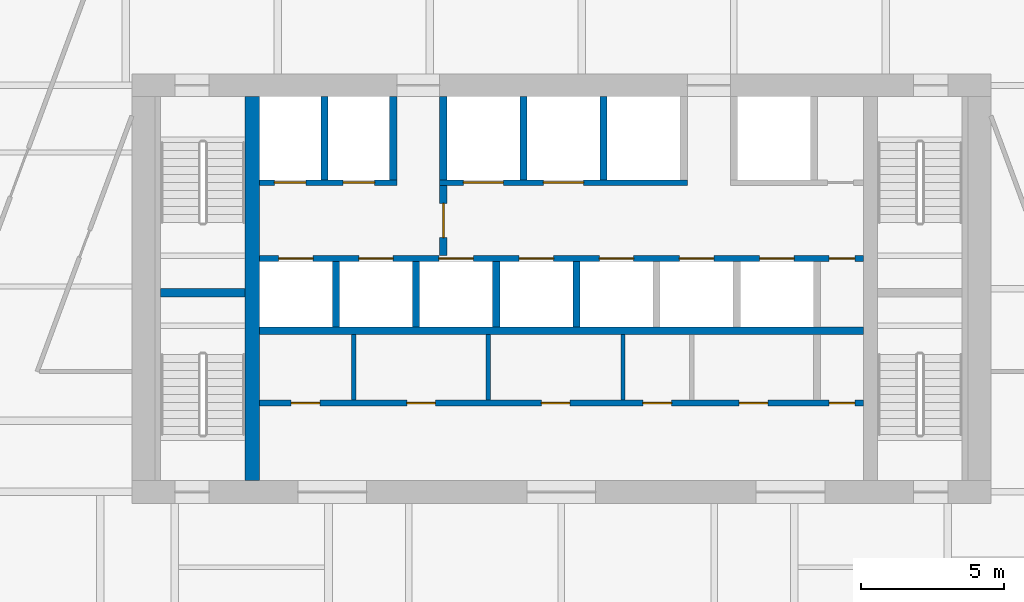
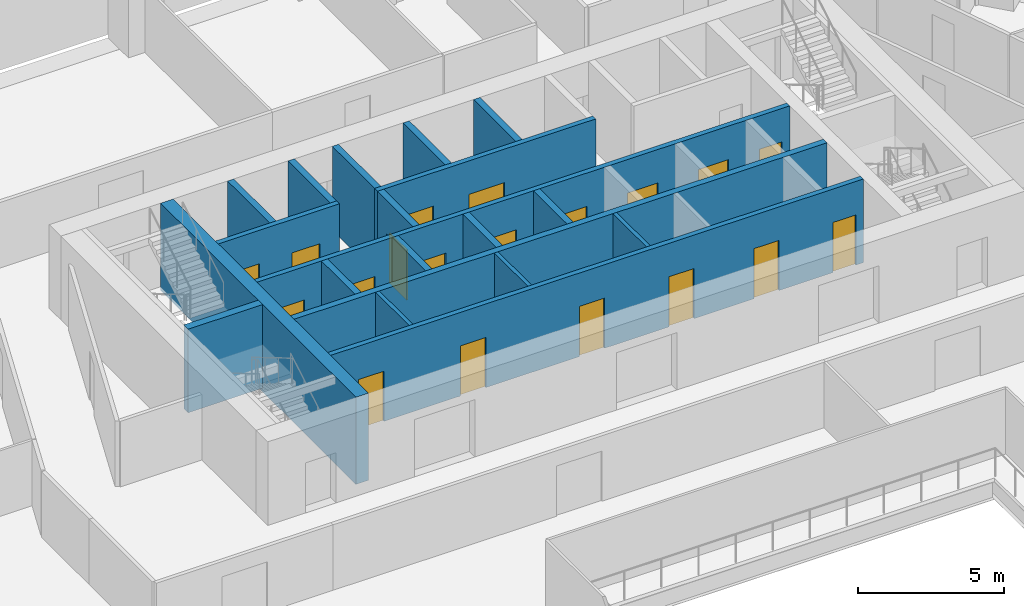
# One storey, part 18 of 24: 20 walls, 19 doors, 19 openings.
"""IFC4 building model written with IfcOpenShell, lengths in metres."""

from ifc_helpers import new_model, si_unit, direction, frame, frame_2d, origin, place, context, subcontext, project, spatial, rectangle, extrude, material, layer, layer_set, type_object, element, fill, save


model = new_model("IFC4")

# Units and contexts
model_context = context("Model", 3, precision=1e-05, world=origin(), true_north=direction((0.0, 1.0)))
body_context = subcontext(model_context, "Body", "Model", "MODEL_VIEW")
ifc_project = project(units=[si_unit("LENGTHUNIT", "METRE"), si_unit("AREAUNIT", "SQUARE_METRE"), si_unit("VOLUMEUNIT", "CUBIC_METRE"), si_unit("PLANEANGLEUNIT", "RADIAN"), si_unit("MASSUNIT", "GRAM", prefix="KILO")], contexts=[model_context])

# Site, building, storey
site_placement = place(None, origin())
site = spatial("IfcSite", under=ifc_project, at=site_placement, CompositionType="ELEMENT")
building_placement = place(site_placement, origin())
building = spatial("IfcBuilding", under=site, at=building_placement, Name="Isthmus Gate Tower", CompositionType="ELEMENT")
storey_placement = place(building_placement, frame((0.0, 0.0, 159.0)))
storey = spatial("IfcBuildingStorey", under=building, at=storey_placement, Name="L39", CompositionType="ELEMENT", Elevation=159.0)

# Wall, opening, door
ifc_material_1 = material(Name="Fire-rated blockwork masonry, 15 MPa", Category="masonry")
ifc_layer_1 = layer(ifc_material_1, 0.25)
ifc_layer_set_1 = layer_set([ifc_layer_1], Name="FIRE-FIGHTING LOBBY WALL 250 90 MIN")
wall_type_1 = type_object("IfcWallType", Name="FIRE-FIGHTING LOBBY WALL 250 90 MIN", PredefinedType="PARTITIONING", material=ifc_layer_set_1)
wall_1_placement = place(storey_placement, frame((-4.125, 8.64990234375, 0.0), z_axis=(0.0, 0.0, 1.0), x_axis=(0.0, 1.0, 0.0)))
wall_1 = element("IfcWall", 1, at=wall_1_placement, inside=storey, type_object=wall_type_1, Name="L39 FIRE-FIGHTING LOBBY WALL 250 90 MIN", PredefinedType="PARTITIONING", context=body_context, shape_type="SweptSolid", body=[
    extrude(rectangle(XDim=2.4501953125, YDim=0.25, at=frame_2d((1.22509765625, 0.0))), origin(), (0.0, 0.0, 1.0), 3.5),
])
opening_1_placement = place(wall_1_placement, frame((0.625, 0.0, 0.0)))
opening_1 = element("IfcOpeningElement", 2, at=opening_1_placement, cuts=wall_1, Name="Opening DC-A10-01", PredefinedType="OPENING", context=body_context, shape_type="SweptSolid", body=[
    extrude(rectangle(XDim=1.199951171875, YDim=2.10009765625, at=frame_2d((0.60009765625, 1.050048828125))), frame((0.0, 0.135009765625, 0.0), z_axis=(0.0, -1.0, 0.0), x_axis=(1.0, 0.0, 0.0)), (0.0, 0.0, 1.0), 0.27001953125),
])
ifc_material_2 = material(Name="Steel door leaf, fire-rated", Category="steel")
door_type_1 = type_object("IfcDoorType", Name="LOBBY FIRE DOOR 1200 X 2100 90 MIN", OperationType="DOUBLE_DOOR_SINGLE_SWING", PredefinedType="DOOR", material=ifc_material_2)
door_1_placement = place(opening_1_placement, origin())
door_1 = element("IfcDoor", 3, at=door_1_placement, inside=storey, type_object=door_type_1, Name="Fire-fighting Lobby Door", OperationType="SINGLE_SWING_LEFT", OverallHeight=2.10009765625, OverallWidth=1.199951171875, PredefinedType="DOOR", context=body_context, shape_type="SweptSolid", body=[
    extrude(rectangle(XDim=1.199951171875, YDim=2.10009765625, at=frame_2d((0.60009765625, 1.050048828125))), frame((0.0, 0.02490234375, 0.0), z_axis=(0.0, -1.0, 0.0), x_axis=(1.0, 0.0, 0.0)), (0.0, 0.0, 1.0), 0.050048828125),
])
fill(opening_1, door_1)

# Walls
ifc_material_3 = material(Name="Concrete f'c 60 MPa", Category="concrete")
ifc_layer_2 = layer(ifc_material_3, 0.5)
ifc_layer_set_2 = layer_set([ifc_layer_2], Name="RC CORE SPINE WALL 500 F'C 60")
wall_type_2 = type_object("IfcWallType", Name="RC CORE SPINE WALL 500 F'C 60", PredefinedType="SOLIDWALL", material=ifc_layer_set_2)
wall_2_placement = place(storey_placement, frame((-10.800048828125, 0.800048828125, -0.14990234375), z_axis=(0.0, 0.0, 1.0), x_axis=(0.0, 1.0, 0.0)))
element("IfcWall", 4, at=wall_2_placement, inside=storey, type_object=wall_type_2, Name="str-corewall-L39-SPW", PredefinedType="SOLIDWALL", context=body_context, shape_type="SweptSolid", body=[
    extrude(rectangle(XDim=13.39990234375, YDim=0.5, at=frame_2d((6.699951171875, 0.0))), origin(), (0.0, 0.0, 1.0), 3.64990234375),
])
ifc_material_4 = material(Name="Gypsum board on steel studs, fire-rated", Category="steel")
ifc_layer_3 = layer(ifc_material_4, 0.14990234375)
ifc_layer_set_3 = layer_set([ifc_layer_3], Name="ROOM PARTITION 150 60 MIN")
wall_type_3 = type_object("IfcWallType", Name="ROOM PARTITION 150 60 MIN", PredefinedType="PARTITIONING", material=ifc_layer_set_3)
for number, where, z_axis, x_axis, name in (
    (5, (-7.25, 3.60009765625, 0.0), (0.0, 0.0, 1.0), (0.0, 1.0, 0.0), "L39 ROOM PARTITION 150 60 MIN"),
    (6, (-2.550048828125, 3.60009765625, 0.0), (0.0, 0.0, 1.0), (0.0, 1.0, 0.0), "L39 ROOM PARTITION 150 60 MIN"),
    (7, (2.14990234375, 3.60009765625, 0.0), (0.0, 0.0, 1.0), (0.0, 1.0, 0.0), "L39 ROOM PARTITION 150 60 MIN"),
):
    element("IfcWall", number, at=place(storey_placement, frame(where, z_axis=z_axis, x_axis=x_axis)), inside=storey, type_object=wall_type_3, Name=name, PredefinedType="PARTITIONING", context=body_context, shape_type="SweptSolid", body=[
        extrude(rectangle(XDim=2.2998046875, YDim=0.14990234375, at=frame_2d((1.14990234375, 0.0))), origin(), (0.0, 0.0, 1.0), 3.5),
    ])

# Wall, openings, doors
ifc_material_5 = material(Name="Fire-rated blockwork masonry, 15 MPa", Category="masonry")
ifc_layer_4 = layer(ifc_material_5, 0.199951171875)
ifc_layer_set_4 = layer_set([ifc_layer_4], Name="SHAFT FRONT WALL 200 120 MIN")
wall_type_4 = type_object("IfcWallType", Name="SHAFT FRONT WALL 200 120 MIN", PredefinedType="PARTITIONING", material=ifc_layer_set_4)
wall_3_placement = place(storey_placement, frame((-10.550048828125, 3.5, 0.0), z_axis=(0.0, 0.0, 1.0), x_axis=(1.0, 0.0, 0.0)))
wall_3 = element("IfcWall", 8, at=wall_3_placement, inside=storey, type_object=wall_type_4, Name="L39 SHAFT FRONT WALL 200 120 MIN", PredefinedType="PARTITIONING", context=body_context, shape_type="SweptSolid", body=[
    extrude(rectangle(XDim=21.10009765625, YDim=0.199951171875, at=frame_2d((10.550048828125, 0.0))), origin(), (0.0, 0.0, 1.0), 3.5),
])
opening_2_placement = place(wall_3_placement, frame((1.112548828125, 0.0, 0.0)))
opening_2 = element("IfcOpeningElement", 9, at=opening_2_placement, cuts=wall_3, Name="Opening DC-A10-02", PredefinedType="OPENING", context=body_context, shape_type="SweptSolid", body=[
    extrude(rectangle(XDim=1.0, YDim=2.10009765625, at=frame_2d((0.5, 1.050048828125))), frame((0.0, 0.10986328125, 0.0), z_axis=(0.0, -1.0, 0.0), x_axis=(1.0, 0.0, 0.0)), (0.0, 0.0, 1.0), 0.219970703125),
])
opening_3_placement = place(wall_3_placement, frame((5.14990234375, 0.0, 0.0)))
opening_3 = element("IfcOpeningElement", 10, at=opening_3_placement, cuts=wall_3, Name="Opening DC-A10-03", PredefinedType="OPENING", context=body_context, shape_type="SweptSolid", body=[
    extrude(rectangle(XDim=1.0, YDim=2.10009765625, at=frame_2d((0.5, 1.050048828125))), frame((0.0, 0.10986328125, 0.0), z_axis=(0.0, -1.0, 0.0), x_axis=(1.0, 0.0, 0.0)), (0.0, 0.0, 1.0), 0.219970703125),
])
opening_4_placement = place(wall_3_placement, frame((9.85009765625, 0.0, 0.0)))
opening_4 = element("IfcOpeningElement", 11, at=opening_4_placement, cuts=wall_3, Name="Opening DC-A10-04", PredefinedType="OPENING", context=body_context, shape_type="SweptSolid", body=[
    extrude(rectangle(XDim=1.0, YDim=2.10009765625, at=frame_2d((0.5, 1.050048828125))), frame((0.0, 0.10986328125, 0.0), z_axis=(0.0, -1.0, 0.0), x_axis=(1.0, 0.0, 0.0)), (0.0, 0.0, 1.0), 0.219970703125),
])
opening_5_placement = place(wall_3_placement, frame((13.39990234375, 0.0, 0.0)))
opening_5 = element("IfcOpeningElement", 12, at=opening_5_placement, cuts=wall_3, Name="Opening DC-A10-05", PredefinedType="OPENING", context=body_context, shape_type="SweptSolid", body=[
    extrude(rectangle(XDim=1.0, YDim=2.10009765625, at=frame_2d((0.5, 1.050048828125))), frame((0.0, 0.10986328125, 0.0), z_axis=(0.0, -1.0, 0.0), x_axis=(1.0, 0.0, 0.0)), (0.0, 0.0, 1.0), 0.219970703125),
])
opening_6_placement = place(wall_3_placement, frame((16.762451171875, 0.0, 0.0)))
opening_6 = element("IfcOpeningElement", 13, at=opening_6_placement, cuts=wall_3, Name="Opening DC-A10-06", PredefinedType="OPENING", context=body_context, shape_type="SweptSolid", body=[
    extrude(rectangle(XDim=1.0, YDim=2.10009765625, at=frame_2d((0.5, 1.050048828125))), frame((0.0, 0.10986328125, 0.0), z_axis=(0.0, -1.0, 0.0), x_axis=(1.0, 0.0, 0.0)), (0.0, 0.0, 1.0), 0.219970703125),
])
opening_7_placement = place(wall_3_placement, frame((19.89990234375, 0.0, 0.0)))
opening_7 = element("IfcOpeningElement", 14, at=opening_7_placement, cuts=wall_3, Name="Opening DC-A10-07", PredefinedType="OPENING", context=body_context, shape_type="SweptSolid", body=[
    extrude(rectangle(XDim=0.89990234375, YDim=2.10009765625, at=frame_2d((0.449951171875, 1.050048828125))), frame((0.0, 0.10986328125, 0.0), z_axis=(0.0, -1.0, 0.0), x_axis=(1.0, 0.0, 0.0)), (0.0, 0.0, 1.0), 0.219970703125),
])
ifc_material_6 = material(Name="Steel door leaf, fire-rated", Category="steel")
door_type_2 = type_object("IfcDoorType", Name="FIRE DOOR 1000 X 2100 60 MIN", OperationType="SINGLE_SWING_LEFT", PredefinedType="DOOR", material=ifc_material_6)
door_2_placement = place(opening_2_placement, origin())
door_2 = element("IfcDoor", 15, at=door_2_placement, inside=storey, type_object=door_type_2, Name="Janitor Store Door", OperationType="SINGLE_SWING_LEFT", OverallHeight=2.10009765625, OverallWidth=1.0, PredefinedType="DOOR", context=body_context, shape_type="SweptSolid", body=[
    extrude(rectangle(XDim=1.0, YDim=2.10009765625, at=frame_2d((0.5, 1.050048828125))), frame((0.0, 0.02490234375, 0.0), z_axis=(0.0, -1.0, 0.0), x_axis=(1.0, 0.0, 0.0)), (0.0, 0.0, 1.0), 0.050048828125),
])
fill(opening_2, door_2)
door_3_placement = place(opening_3_placement, origin())
door_3 = element("IfcDoor", 16, at=door_3_placement, inside=storey, type_object=door_type_2, Name="WC Women Door", OperationType="SINGLE_SWING_RIGHT", OverallHeight=2.10009765625, OverallWidth=1.0, PredefinedType="DOOR", context=body_context, shape_type="SweptSolid", body=[
    extrude(rectangle(XDim=1.0, YDim=2.10009765625, at=frame_2d((0.5, 1.050048828125))), frame((0.0, 0.02490234375, 0.0), z_axis=(0.0, -1.0, 0.0), x_axis=(1.0, 0.0, 0.0)), (0.0, 0.0, 1.0), 0.050048828125),
])
fill(opening_3, door_3)
door_4_placement = place(opening_4_placement, origin())
door_4 = element("IfcDoor", 17, at=door_4_placement, inside=storey, type_object=door_type_2, Name="WC Men Door", OperationType="SINGLE_SWING_LEFT", OverallHeight=2.10009765625, OverallWidth=1.0, PredefinedType="DOOR", context=body_context, shape_type="SweptSolid", body=[
    extrude(rectangle(XDim=1.0, YDim=2.10009765625, at=frame_2d((0.5, 1.050048828125))), frame((0.0, 0.02490234375, 0.0), z_axis=(0.0, -1.0, 0.0), x_axis=(1.0, 0.0, 0.0)), (0.0, 0.0, 1.0), 0.050048828125),
])
fill(opening_4, door_4)
door_5_placement = place(opening_5_placement, origin())
door_5 = element("IfcDoor", 18, at=door_5_placement, inside=storey, type_object=door_type_2, Name="Accessible WC Door", OperationType="SINGLE_SWING_RIGHT", OverallHeight=2.10009765625, OverallWidth=1.0, PredefinedType="DOOR", context=body_context, shape_type="SweptSolid", body=[
    extrude(rectangle(XDim=1.0, YDim=2.10009765625, at=frame_2d((0.5, 1.050048828125))), frame((0.0, 0.02490234375, 0.0), z_axis=(0.0, -1.0, 0.0), x_axis=(1.0, 0.0, 0.0)), (0.0, 0.0, 1.0), 0.050048828125),
])
fill(opening_5, door_5)
door_6_placement = place(opening_6_placement, origin())
door_6 = element("IfcDoor", 19, at=door_6_placement, inside=storey, type_object=door_type_2, Name="Print Room Door", OperationType="SINGLE_SWING_LEFT", OverallHeight=2.10009765625, OverallWidth=1.0, PredefinedType="DOOR", context=body_context, shape_type="SweptSolid", body=[
    extrude(rectangle(XDim=1.0, YDim=2.10009765625, at=frame_2d((0.5, 1.050048828125))), frame((0.0, 0.02490234375, 0.0), z_axis=(0.0, -1.0, 0.0), x_axis=(1.0, 0.0, 0.0)), (0.0, 0.0, 1.0), 0.050048828125),
])
fill(opening_6, door_6)
ifc_material_7 = material(Name="Steel door leaf, fire-rated", Category="steel")
door_type_3 = type_object("IfcDoorType", Name="RISER FIRE DOOR 900 X 2100 90 MIN", OperationType="SINGLE_SWING_LEFT", PredefinedType="DOOR", material=ifc_material_7)
door_7_placement = place(opening_7_placement, origin())
door_7 = element("IfcDoor", 20, at=door_7_placement, inside=storey, type_object=door_type_3, Name="Riser Door", OperationType="SINGLE_SWING_RIGHT", OverallHeight=2.10009765625, OverallWidth=0.89990234375, PredefinedType="DOOR", context=body_context, shape_type="SweptSolid", body=[
    extrude(rectangle(XDim=0.89990234375, YDim=2.10009765625, at=frame_2d((0.449951171875, 1.050048828125))), frame((0.0, 0.02490234375, 0.0), z_axis=(0.0, -1.0, 0.0), x_axis=(1.0, 0.0, 0.0)), (0.0, 0.0, 1.0), 0.050048828125),
])
fill(opening_7, door_7)

wall_4_placement = place(storey_placement, frame((-10.550048828125, 8.550048828125, 0.0), z_axis=(0.0, 0.0, 1.0), x_axis=(1.0, 0.0, 0.0)))
wall_4 = element("IfcWall", 21, at=wall_4_placement, inside=storey, type_object=wall_type_4, Name="L39 SHAFT FRONT WALL 200 120 MIN", PredefinedType="PARTITIONING", context=body_context, shape_type="SweptSolid", body=[
    extrude(rectangle(XDim=21.10009765625, YDim=0.199951171875, at=frame_2d((10.550048828125, 0.0))), origin(), (0.0, 0.0, 1.0), 3.5),
])
opening_8_placement = place(wall_4_placement, frame((0.675048828125, 0.0, 0.0)))
opening_8 = element("IfcOpeningElement", 22, at=opening_8_placement, cuts=wall_4, Name="Opening LD-LB1", PredefinedType="OPENING", context=body_context, shape_type="SweptSolid", body=[
    extrude(rectangle(XDim=1.199951171875, YDim=2.10009765625, at=frame_2d((0.60009765625, 1.050048828125))), frame((0.0, 0.10986328125, 0.0), z_axis=(0.0, -1.0, 0.0), x_axis=(1.0, 0.0, 0.0)), (0.0, 0.0, 1.0), 0.219970703125),
])
opening_9_placement = place(wall_4_placement, frame((3.47509765625, 0.0, 0.0)))
opening_9 = element("IfcOpeningElement", 23, at=opening_9_placement, cuts=wall_4, Name="Opening LD-LB2", PredefinedType="OPENING", context=body_context, shape_type="SweptSolid", body=[
    extrude(rectangle(XDim=1.199951171875, YDim=2.10009765625, at=frame_2d((0.60009765625, 1.050048828125))), frame((0.0, 0.10986328125, 0.0), z_axis=(0.0, -1.0, 0.0), x_axis=(1.0, 0.0, 0.0)), (0.0, 0.0, 1.0), 0.219970703125),
])
opening_10_placement = place(wall_4_placement, frame((6.27490234375, 0.0, 0.0)))
opening_10 = element("IfcOpeningElement", 24, at=opening_10_placement, cuts=wall_4, Name="Opening LD-LB3", PredefinedType="OPENING", context=body_context, shape_type="SweptSolid", body=[
    extrude(rectangle(XDim=1.199951171875, YDim=2.10009765625, at=frame_2d((0.60009765625, 1.050048828125))), frame((0.0, 0.10986328125, 0.0), z_axis=(0.0, -1.0, 0.0), x_axis=(1.0, 0.0, 0.0)), (0.0, 0.0, 1.0), 0.219970703125),
])
opening_11_placement = place(wall_4_placement, frame((9.074951171875, 0.0, 0.0)))
opening_11 = element("IfcOpeningElement", 25, at=opening_11_placement, cuts=wall_4, Name="Opening LD-LB4", PredefinedType="OPENING", context=body_context, shape_type="SweptSolid", body=[
    extrude(rectangle(XDim=1.199951171875, YDim=2.10009765625, at=frame_2d((0.60009765625, 1.050048828125))), frame((0.0, 0.10986328125, 0.0), z_axis=(0.0, -1.0, 0.0), x_axis=(1.0, 0.0, 0.0)), (0.0, 0.0, 1.0), 0.219970703125),
])
opening_12_placement = place(wall_4_placement, frame((11.875, 0.0, 0.0)))
opening_12 = element("IfcOpeningElement", 26, at=opening_12_placement, cuts=wall_4, Name="Opening LD-LB5", PredefinedType="OPENING", context=body_context, shape_type="SweptSolid", body=[
    extrude(rectangle(XDim=1.199951171875, YDim=2.10009765625, at=frame_2d((0.60009765625, 1.050048828125))), frame((0.0, 0.10986328125, 0.0), z_axis=(0.0, -1.0, 0.0), x_axis=(1.0, 0.0, 0.0)), (0.0, 0.0, 1.0), 0.219970703125),
])
opening_13_placement = place(wall_4_placement, frame((14.675048828125, 0.0, 0.0)))
opening_13 = element("IfcOpeningElement", 27, at=opening_13_placement, cuts=wall_4, Name="Opening LD-LB6", PredefinedType="OPENING", context=body_context, shape_type="SweptSolid", body=[
    extrude(rectangle(XDim=1.199951171875, YDim=2.10009765625, at=frame_2d((0.60009765625, 1.050048828125))), frame((0.0, 0.10986328125, 0.0), z_axis=(0.0, -1.0, 0.0), x_axis=(1.0, 0.0, 0.0)), (0.0, 0.0, 1.0), 0.219970703125),
])
opening_14_placement = place(wall_4_placement, frame((17.47509765625, 0.0, 0.0)))
opening_14 = element("IfcOpeningElement", 28, at=opening_14_placement, cuts=wall_4, Name="Opening LD-LB7", PredefinedType="OPENING", context=body_context, shape_type="SweptSolid", body=[
    extrude(rectangle(XDim=1.199951171875, YDim=2.10009765625, at=frame_2d((0.60009765625, 1.050048828125))), frame((0.0, 0.10986328125, 0.0), z_axis=(0.0, -1.0, 0.0), x_axis=(1.0, 0.0, 0.0)), (0.0, 0.0, 1.0), 0.219970703125),
])
opening_15_placement = place(wall_4_placement, frame((19.89990234375, 0.0, 0.0)))
opening_15 = element("IfcOpeningElement", 29, at=opening_15_placement, cuts=wall_4, Name="Opening DC-A10-08", PredefinedType="OPENING", context=body_context, shape_type="SweptSolid", body=[
    extrude(rectangle(XDim=0.89990234375, YDim=2.10009765625, at=frame_2d((0.449951171875, 1.050048828125))), frame((0.0, 0.10986328125, 0.0), z_axis=(0.0, -1.0, 0.0), x_axis=(1.0, 0.0, 0.0)), (0.0, 0.0, 1.0), 0.219970703125),
])
ifc_material_8 = material(Name="Stainless steel sliding leaf", Category="steel")
door_type_4 = type_object("IfcDoorType", Name="LIFT LANDING FIRE DOOR 1200 X 2100 90 MIN", OperationType="DOUBLE_DOOR_SLIDING", PredefinedType="DOOR", material=ifc_material_8)
door_8_placement = place(opening_8_placement, origin())
door_8 = element("IfcDoor", 30, at=door_8_placement, inside=storey, type_object=door_type_4, Name="Lift Landing Door LB1", OperationType="DOUBLE_DOOR_SLIDING", OverallHeight=2.10009765625, OverallWidth=1.199951171875, PredefinedType="DOOR", context=body_context, shape_type="SweptSolid", body=[
    extrude(rectangle(XDim=1.199951171875, YDim=2.10009765625, at=frame_2d((0.60009765625, 1.050048828125))), frame((0.0, 0.02490234375, 0.0), z_axis=(0.0, -1.0, 0.0), x_axis=(1.0, 0.0, 0.0)), (0.0, 0.0, 1.0), 0.050048828125),
])
fill(opening_8, door_8)
door_9_placement = place(opening_9_placement, origin())
door_9 = element("IfcDoor", 31, at=door_9_placement, inside=storey, type_object=door_type_4, Name="Lift Landing Door LB2", OperationType="DOUBLE_DOOR_SLIDING", OverallHeight=2.10009765625, OverallWidth=1.199951171875, PredefinedType="DOOR", context=body_context, shape_type="SweptSolid", body=[
    extrude(rectangle(XDim=1.199951171875, YDim=2.10009765625, at=frame_2d((0.60009765625, 1.050048828125))), frame((0.0, 0.02490234375, 0.0), z_axis=(0.0, -1.0, 0.0), x_axis=(1.0, 0.0, 0.0)), (0.0, 0.0, 1.0), 0.050048828125),
])
fill(opening_9, door_9)
door_10_placement = place(opening_10_placement, origin())
door_10 = element("IfcDoor", 32, at=door_10_placement, inside=storey, type_object=door_type_4, Name="Lift Landing Door LB3", OperationType="DOUBLE_DOOR_SLIDING", OverallHeight=2.10009765625, OverallWidth=1.199951171875, PredefinedType="DOOR", context=body_context, shape_type="SweptSolid", body=[
    extrude(rectangle(XDim=1.199951171875, YDim=2.10009765625, at=frame_2d((0.60009765625, 1.050048828125))), frame((0.0, 0.02490234375, 0.0), z_axis=(0.0, -1.0, 0.0), x_axis=(1.0, 0.0, 0.0)), (0.0, 0.0, 1.0), 0.050048828125),
])
fill(opening_10, door_10)
door_11_placement = place(opening_11_placement, origin())
door_11 = element("IfcDoor", 33, at=door_11_placement, inside=storey, type_object=door_type_4, Name="Lift Landing Door LB4", OperationType="DOUBLE_DOOR_SLIDING", OverallHeight=2.10009765625, OverallWidth=1.199951171875, PredefinedType="DOOR", context=body_context, shape_type="SweptSolid", body=[
    extrude(rectangle(XDim=1.199951171875, YDim=2.10009765625, at=frame_2d((0.60009765625, 1.050048828125))), frame((0.0, 0.02490234375, 0.0), z_axis=(0.0, -1.0, 0.0), x_axis=(1.0, 0.0, 0.0)), (0.0, 0.0, 1.0), 0.050048828125),
])
fill(opening_11, door_11)
door_12_placement = place(opening_12_placement, origin())
door_12 = element("IfcDoor", 34, at=door_12_placement, inside=storey, type_object=door_type_4, Name="Lift Landing Door LB5", OperationType="DOUBLE_DOOR_SLIDING", OverallHeight=2.10009765625, OverallWidth=1.199951171875, PredefinedType="DOOR", context=body_context, shape_type="SweptSolid", body=[
    extrude(rectangle(XDim=1.199951171875, YDim=2.10009765625, at=frame_2d((0.60009765625, 1.050048828125))), frame((0.0, 0.02490234375, 0.0), z_axis=(0.0, -1.0, 0.0), x_axis=(1.0, 0.0, 0.0)), (0.0, 0.0, 1.0), 0.050048828125),
])
fill(opening_12, door_12)
door_13_placement = place(opening_13_placement, origin())
door_13 = element("IfcDoor", 35, at=door_13_placement, inside=storey, type_object=door_type_4, Name="Lift Landing Door LB6", OperationType="DOUBLE_DOOR_SLIDING", OverallHeight=2.10009765625, OverallWidth=1.199951171875, PredefinedType="DOOR", context=body_context, shape_type="SweptSolid", body=[
    extrude(rectangle(XDim=1.199951171875, YDim=2.10009765625, at=frame_2d((0.60009765625, 1.050048828125))), frame((0.0, 0.02490234375, 0.0), z_axis=(0.0, -1.0, 0.0), x_axis=(1.0, 0.0, 0.0)), (0.0, 0.0, 1.0), 0.050048828125),
])
fill(opening_13, door_13)
door_14_placement = place(opening_14_placement, origin())
door_14 = element("IfcDoor", 36, at=door_14_placement, inside=storey, type_object=door_type_4, Name="Lift Landing Door LB7", OperationType="DOUBLE_DOOR_SLIDING", OverallHeight=2.10009765625, OverallWidth=1.199951171875, PredefinedType="DOOR", context=body_context, shape_type="SweptSolid", body=[
    extrude(rectangle(XDim=1.199951171875, YDim=2.10009765625, at=frame_2d((0.60009765625, 1.050048828125))), frame((0.0, 0.02490234375, 0.0), z_axis=(0.0, -1.0, 0.0), x_axis=(1.0, 0.0, 0.0)), (0.0, 0.0, 1.0), 0.050048828125),
])
fill(opening_14, door_14)
door_15_placement = place(opening_15_placement, origin())
door_15 = element("IfcDoor", 37, at=door_15_placement, inside=storey, type_object=door_type_3, Name="Riser Door", OperationType="SINGLE_SWING_RIGHT", OverallHeight=2.10009765625, OverallWidth=0.89990234375, PredefinedType="DOOR", context=body_context, shape_type="SweptSolid", body=[
    extrude(rectangle(XDim=0.89990234375, YDim=2.10009765625, at=frame_2d((0.449951171875, 1.050048828125))), frame((0.0, 0.02490234375, 0.0), z_axis=(0.0, -1.0, 0.0), x_axis=(1.0, 0.0, 0.0)), (0.0, 0.0, 1.0), 0.050048828125),
])
fill(opening_15, door_15)

wall_5_placement = place(storey_placement, frame((-10.550048828125, 11.199951171875, 0.0), z_axis=(0.0, 0.0, 1.0), x_axis=(1.0, 0.0, 0.0)))
wall_5 = element("IfcWall", 38, at=wall_5_placement, inside=storey, type_object=wall_type_4, Name="L39 SHAFT FRONT WALL 200 120 MIN", PredefinedType="PARTITIONING", context=body_context, shape_type="SweptSolid", body=[
    extrude(rectangle(XDim=4.800048828125, YDim=0.199951171875, at=frame_2d((2.39990234375, 0.0))), origin(), (0.0, 0.0, 1.0), 3.5),
])
opening_16_placement = place(wall_5_placement, frame((0.52490234375, 0.0, 0.0)))
opening_16 = element("IfcOpeningElement", 39, at=opening_16_placement, cuts=wall_5, Name="Opening LD-LF1", PredefinedType="OPENING", context=body_context, shape_type="SweptSolid", body=[
    extrude(rectangle(XDim=1.10009765625, YDim=2.10009765625, at=frame_2d((0.550048828125, 1.050048828125))), frame((0.0, 0.10986328125, 0.0), z_axis=(0.0, -1.0, 0.0), x_axis=(1.0, 0.0, 0.0)), (0.0, 0.0, 1.0), 0.219970703125),
])
opening_17_placement = place(wall_5_placement, frame((2.925048828125, 0.0, 0.0)))
opening_17 = element("IfcOpeningElement", 40, at=opening_17_placement, cuts=wall_5, Name="Opening LD-LF2", PredefinedType="OPENING", context=body_context, shape_type="SweptSolid", body=[
    extrude(rectangle(XDim=1.10009765625, YDim=2.10009765625, at=frame_2d((0.550048828125, 1.050048828125))), frame((0.0, 0.10986328125, 0.0), z_axis=(0.0, -1.0, 0.0), x_axis=(1.0, 0.0, 0.0)), (0.0, 0.0, 1.0), 0.219970703125),
])
ifc_material_9 = material(Name="Stainless steel sliding leaf", Category="steel")
door_type_5 = type_object("IfcDoorType", Name="LIFT LANDING FIRE DOOR 1100 X 2100 90 MIN", OperationType="DOUBLE_DOOR_SLIDING", PredefinedType="DOOR", material=ifc_material_9)
door_16_placement = place(opening_16_placement, origin())
door_16 = element("IfcDoor", 41, at=door_16_placement, inside=storey, type_object=door_type_5, Name="Lift Landing Door LF1", OperationType="DOUBLE_DOOR_SLIDING", OverallHeight=2.10009765625, OverallWidth=1.10009765625, PredefinedType="DOOR", context=body_context, shape_type="SweptSolid", body=[
    extrude(rectangle(XDim=1.10009765625, YDim=2.10009765625, at=frame_2d((0.550048828125, 1.050048828125))), frame((0.0, 0.02490234375, 0.0), z_axis=(0.0, -1.0, 0.0), x_axis=(1.0, 0.0, 0.0)), (0.0, 0.0, 1.0), 0.050048828125),
])
fill(opening_16, door_16)
door_17_placement = place(opening_17_placement, origin())
door_17 = element("IfcDoor", 42, at=door_17_placement, inside=storey, type_object=door_type_5, Name="Lift Landing Door LF2", OperationType="DOUBLE_DOOR_SLIDING", OverallHeight=2.10009765625, OverallWidth=1.10009765625, PredefinedType="DOOR", context=body_context, shape_type="SweptSolid", body=[
    extrude(rectangle(XDim=1.10009765625, YDim=2.10009765625, at=frame_2d((0.550048828125, 1.050048828125))), frame((0.0, 0.02490234375, 0.0), z_axis=(0.0, -1.0, 0.0), x_axis=(1.0, 0.0, 0.0)), (0.0, 0.0, 1.0), 0.050048828125),
])
fill(opening_17, door_17)

wall_6_placement = place(storey_placement, frame((-4.25, 11.199951171875, 0.0), z_axis=(0.0, 0.0, 1.0), x_axis=(1.0, 0.0, 0.0)))
wall_6 = element("IfcWall", 43, at=wall_6_placement, inside=storey, type_object=wall_type_4, Name="L39 SHAFT FRONT WALL 200 120 MIN", PredefinedType="PARTITIONING", context=body_context, shape_type="SweptSolid", body=[
    extrude(rectangle(XDim=8.64990234375, YDim=0.199951171875, at=frame_2d((4.324951171875, 0.0))), origin(), (0.0, 0.0, 1.0), 3.5),
])
opening_18_placement = place(wall_6_placement, frame((0.824951171875, 0.0, 0.0)))
opening_18 = element("IfcOpeningElement", 44, at=opening_18_placement, cuts=wall_6, Name="Opening LD-LV1", PredefinedType="OPENING", context=body_context, shape_type="SweptSolid", body=[
    extrude(rectangle(XDim=1.39990234375, YDim=2.10009765625, at=frame_2d((0.699951171875, 1.050048828125))), frame((0.0, 0.10986328125, 0.0), z_axis=(0.0, -1.0, 0.0), x_axis=(1.0, 0.0, 0.0)), (0.0, 0.0, 1.0), 0.219970703125),
])
opening_19_placement = place(wall_6_placement, frame((3.625, 0.0, 0.0)))
opening_19 = element("IfcOpeningElement", 45, at=opening_19_placement, cuts=wall_6, Name="Opening LD-LV2", PredefinedType="OPENING", context=body_context, shape_type="SweptSolid", body=[
    extrude(rectangle(XDim=1.39990234375, YDim=2.10009765625, at=frame_2d((0.699951171875, 1.050048828125))), frame((0.0, 0.10986328125, 0.0), z_axis=(0.0, -1.0, 0.0), x_axis=(1.0, 0.0, 0.0)), (0.0, 0.0, 1.0), 0.219970703125),
])
ifc_material_10 = material(Name="Stainless steel sliding leaf", Category="steel")
door_type_6 = type_object("IfcDoorType", Name="LIFT LANDING FIRE DOOR 1400 X 2100 90 MIN", OperationType="DOUBLE_DOOR_SLIDING", PredefinedType="DOOR", material=ifc_material_10)
door_18_placement = place(opening_18_placement, origin())
door_18 = element("IfcDoor", 46, at=door_18_placement, inside=storey, type_object=door_type_6, Name="Lift Landing Door LV1", OperationType="DOUBLE_DOOR_SLIDING", OverallHeight=2.10009765625, OverallWidth=1.39990234375, PredefinedType="DOOR", context=body_context, shape_type="SweptSolid", body=[
    extrude(rectangle(XDim=1.39990234375, YDim=2.10009765625, at=frame_2d((0.699951171875, 1.050048828125))), frame((0.0, 0.02490234375, 0.0), z_axis=(0.0, -1.0, 0.0), x_axis=(1.0, 0.0, 0.0)), (0.0, 0.0, 1.0), 0.050048828125),
])
fill(opening_18, door_18)
door_19_placement = place(opening_19_placement, origin())
door_19 = element("IfcDoor", 47, at=door_19_placement, inside=storey, type_object=door_type_6, Name="Lift Landing Door LV2", OperationType="DOUBLE_DOOR_SLIDING", OverallHeight=2.10009765625, OverallWidth=1.39990234375, PredefinedType="DOOR", context=body_context, shape_type="SweptSolid", body=[
    extrude(rectangle(XDim=1.39990234375, YDim=2.10009765625, at=frame_2d((0.699951171875, 1.050048828125))), frame((0.0, 0.02490234375, 0.0), z_axis=(0.0, -1.0, 0.0), x_axis=(1.0, 0.0, 0.0)), (0.0, 0.0, 1.0), 0.050048828125),
])
fill(opening_19, door_19)

# Walls
ifc_material_11 = material(Name="Fire-rated blockwork masonry, 15 MPa", Category="masonry")
ifc_layer_5 = layer(ifc_material_11, 0.25)
ifc_layer_set_5 = layer_set([ifc_layer_5], Name="SHAFT WALL 250 120 MIN")
wall_type_5 = type_object("IfcWallType", Name="SHAFT WALL 250 120 MIN", PredefinedType="PARTITIONING", material=ifc_layer_set_5)
wall_7_placement = place(storey_placement, frame((-10.550048828125, 6.02490234375, 0.0), z_axis=(0.0, 0.0, 1.0), x_axis=(1.0, 0.0, 0.0)))
element("IfcWall", 48, at=wall_7_placement, inside=storey, type_object=wall_type_5, Name="L39 SHAFT WALL 250 120 MIN", PredefinedType="PARTITIONING", context=body_context, shape_type="SweptSolid", body=[
    extrude(rectangle(XDim=21.10009765625, YDim=0.25, at=frame_2d((10.550048828125, 0.0))), origin(), (0.0, 0.0, 1.0), 3.5),
])
for number, where, z_axis, x_axis, name in (
    (49, (-7.875, 6.14990234375, 0.0), (0.0, 0.0, 1.0), (0.0, 1.0, 0.0), "L39 SHAFT WALL 250 120 MIN"),
    (50, (-5.074951171875, 6.14990234375, 0.0), (0.0, 0.0, 1.0), (0.0, 1.0, 0.0), "L39 SHAFT WALL 250 120 MIN"),
    (51, (-2.27490234375, 6.14990234375, 0.0), (0.0, 0.0, 1.0), (0.0, 1.0, 0.0), "L39 SHAFT WALL 250 120 MIN"),
    (52, (0.52490234375, 6.14990234375, 0.0), (0.0, 0.0, 1.0), (0.0, 1.0, 0.0), "L39 SHAFT WALL 250 120 MIN"),
):
    element("IfcWall", number, at=place(storey_placement, frame(where, z_axis=z_axis, x_axis=x_axis)), inside=storey, type_object=wall_type_5, Name=name, PredefinedType="PARTITIONING", context=body_context, shape_type="SweptSolid", body=[
        extrude(rectangle(XDim=2.300048828125, YDim=0.25, at=frame_2d((1.14990234375, 0.0))), origin(), (0.0, 0.0, 1.0), 3.5),
    ])
for number, where, z_axis, x_axis, name in (
    (53, (-8.27490234375, 11.300048828125, 0.0), (0.0, 0.0, 1.0), (0.0, 1.0, 0.0), "L39 SHAFT WALL 250 120 MIN"),
    (54, (-5.875, 11.300048828125, 0.0), (0.0, 0.0, 1.0), (0.0, 1.0, 0.0), "L39 SHAFT WALL 250 120 MIN"),
    (55, (-4.125, 11.300048828125, 0.0), (0.0, 0.0, 1.0), (0.0, 1.0, 0.0), "L39 SHAFT WALL 250 120 MIN"),
    (56, (-1.324951171875, 11.300048828125, 0.0), (0.0, 0.0, 1.0), (0.0, 1.0, 0.0), "L39 SHAFT WALL 250 120 MIN"),
    (57, (1.47509765625, 11.300048828125, 0.0), (0.0, 0.0, 1.0), (0.0, 1.0, 0.0), "L39 SHAFT WALL 250 120 MIN"),
):
    element("IfcWall", number, at=place(storey_placement, frame(where, z_axis=z_axis, x_axis=x_axis)), inside=storey, type_object=wall_type_5, Name=name, PredefinedType="PARTITIONING", context=body_context, shape_type="SweptSolid", body=[
        extrude(rectangle(XDim=2.89990234375, YDim=0.25, at=frame_2d((1.449951171875, 0.0))), origin(), (0.0, 0.0, 1.0), 3.5),
    ])
ifc_material_12 = material(Name="Concrete f'c 40 MPa", Category="concrete")
ifc_layer_6 = layer(ifc_material_12, 0.300048828125)
ifc_layer_set_6 = layer_set([ifc_layer_6], Name="STAIR ENCLOSURE WALL 300 180 MIN")
wall_type_6 = type_object("IfcWallType", Name="STAIR ENCLOSURE WALL 300 180 MIN", PredefinedType="SOLIDWALL", material=ifc_layer_set_6)
wall_8_placement = place(storey_placement, frame((-14.0, 7.35009765625, 0.0), z_axis=(0.0, 0.0, 1.0), x_axis=(1.0, 0.0, 0.0)))
element("IfcWall", 58, at=wall_8_placement, inside=storey, type_object=wall_type_6, Name="L39 STAIR ENCLOSURE WALL 300 180 MIN", PredefinedType="SOLIDWALL", context=body_context, shape_type="SweptSolid", body=[
    extrude(rectangle(XDim=2.949951171875, YDim=0.300048828125, at=frame_2d((1.47509765625, 0.0))), origin(), (0.0, 0.0, 1.0), 3.5),
])

save(model, "model.ifc")
